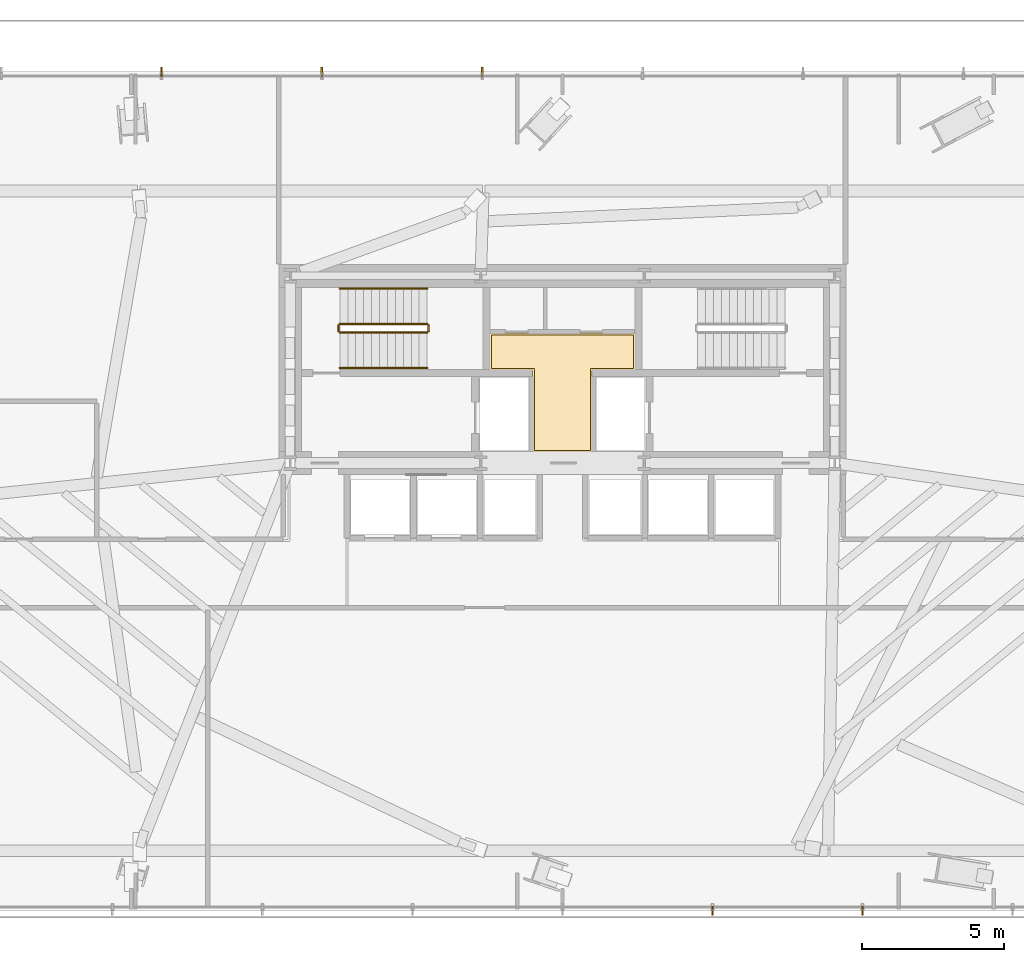
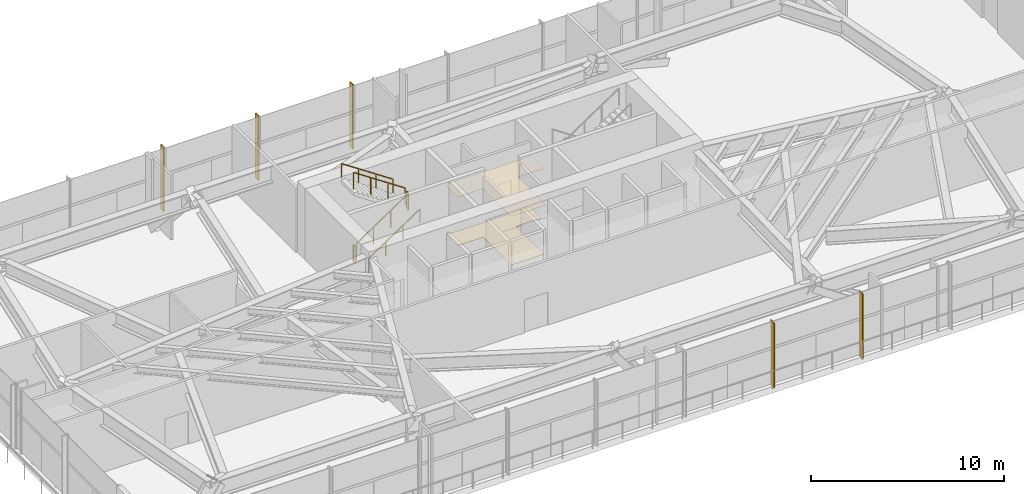
# One storey, part 24 of 29: 6 railings, 5 shading devices, 2 coverings.
"""IFC4 building model written with IfcOpenShell, lengths in metres."""

from ifc_helpers import new_model, si_unit, direction, frame, origin, origin_2d, place, context, subcontext, project, spatial, polyline, rectangle, outline, extrude, source, transform, mapped, material, layer, layer_set, type_object, type_shapes, element, save


model = new_model("IFC4")

# Units and contexts
model_context = context("Model", 3, precision=1e-05, world=origin(), true_north=direction((0.0, 1.0)))
body_context = subcontext(model_context, "Body", "Model", "MODEL_VIEW")
ifc_project = project(units=[si_unit("LENGTHUNIT", "METRE"), si_unit("AREAUNIT", "SQUARE_METRE"), si_unit("VOLUMEUNIT", "CUBIC_METRE"), si_unit("PLANEANGLEUNIT", "RADIAN"), si_unit("MASSUNIT", "GRAM", prefix="KILO")], contexts=[model_context])

# Site, building, storey
site_placement = place(None, origin())
site = spatial("IfcSite", under=ifc_project, at=site_placement, CompositionType="ELEMENT")
building_placement = place(site_placement, origin())
building = spatial("IfcBuilding", under=site, at=building_placement, Name="Astriad Promenade Condominiums", CompositionType="ELEMENT")
storey_placement = place(building_placement, frame((0.0, 0.0, 18.5)))
storey = spatial("IfcBuildingStorey", under=building, at=storey_placement, Name="L04", CompositionType="ELEMENT", Elevation=18.5)

# Coverings
ifc_material_1 = material(Name="Mineral-Fibre Acoustic Ceiling Tile")
ifc_layer_1 = layer(ifc_material_1, 0.02490234375)
ifc_layer_set_1 = layer_set([ifc_layer_1], Name="Mineral-Fibre Acoustic Ceiling Tile")
covering_type_1 = type_object("IfcCoveringType", Name="COV-CEIL-ACOUSTIC-25", PredefinedType="CEILING", material=ifc_layer_set_1)
covering_1_placement = place(storey_placement, frame((0.0, 0.0, 3.135009765625)))
element("IfcCovering", 1, at=covering_1_placement, inside=storey, type_object=covering_type_1, Name="CEIL-L04-CSL", PredefinedType="CEILING", context=body_context, shape_type="SweptSolid", body=[
    extrude(outline(polyline([(37.050048828125, 17.800048828125), (37.0498046875, 17.797119140625), (37.04931640625, 17.794189453125), (37.048583984375, 17.791259765625), (37.047607421875, 17.78857421875), (37.04638671875, 17.785888671875), (37.044921875, 17.783203125), (37.043212890625, 17.781005859375), (37.041259765625, 17.77880859375), (37.0390625, 17.77685546875), (37.03662109375, 17.775146484375), (37.0341796875, 17.7734375), (37.031494140625, 17.772216796875), (37.02880859375, 17.771240234375), (37.02587890625, 17.7705078125), (37.02294921875, 17.77001953125), (37.02001953125, 17.77001953125), (34.97998046875, 17.77001953125), (34.97705078125, 17.77001953125), (34.97412109375, 17.7705078125), (34.97119140625, 17.771240234375), (34.968505859375, 17.772216796875), (34.9658203125, 17.7734375), (34.96337890625, 17.775146484375), (34.9609375, 17.77685546875), (34.958740234375, 17.77880859375), (34.956787109375, 17.781005859375), (34.955078125, 17.783203125), (34.95361328125, 17.785888671875), (34.952392578125, 17.78857421875), (34.951416015625, 17.791259765625), (34.95068359375, 17.794189453125), (34.9501953125, 17.797119140625), (34.949951171875, 17.800048828125), (34.949951171875, 20.669921875), (33.4599609375, 20.669921875), (33.45703125, 20.670166015625), (33.4541015625, 20.670654296875), (33.451416015625, 20.67138671875), (33.448486328125, 20.67236328125), (33.44580078125, 20.673583984375), (33.443359375, 20.675048828125), (33.44091796875, 20.6767578125), (33.438720703125, 20.6787109375), (33.436767578125, 20.680908203125), (33.43505859375, 20.683349609375), (33.43359375, 20.685791015625), (33.432373046875, 20.6884765625), (33.431396484375, 20.69140625), (33.4306640625, 20.694091796875), (33.43017578125, 20.697021484375), (33.429931640625, 20.699951171875), (33.429931640625, 21.949951171875), (33.43017578125, 21.952880859375), (33.4306640625, 21.955810546875), (33.431396484375, 21.958740234375), (33.432373046875, 21.96142578125), (33.43359375, 21.964111328125), (33.43505859375, 21.966796875), (33.436767578125, 21.968994140625), (33.438720703125, 21.97119140625), (33.44091796875, 21.97314453125), (33.443359375, 21.974853515625), (33.44580078125, 21.9765625), (33.448486328125, 21.977783203125), (33.451416015625, 21.978759765625), (33.4541015625, 21.9794921875), (33.45703125, 21.97998046875), (33.4599609375, 21.97998046875), (38.5400390625, 21.97998046875), (38.54296875, 21.97998046875), (38.5458984375, 21.9794921875), (38.548583984375, 21.978759765625), (38.551513671875, 21.977783203125), (38.55419921875, 21.9765625), (38.556640625, 21.974853515625), (38.55908203125, 21.97314453125), (38.561279296875, 21.97119140625), (38.563232421875, 21.968994140625), (38.56494140625, 21.966796875), (38.56640625, 21.964111328125), (38.567626953125, 21.96142578125), (38.568603515625, 21.958740234375), (38.5693359375, 21.955810546875), (38.56982421875, 21.952880859375), (38.570068359375, 21.949951171875), (38.570068359375, 20.699951171875), (38.56982421875, 20.697021484375), (38.5693359375, 20.694091796875), (38.568603515625, 20.69140625), (38.567626953125, 20.6884765625), (38.56640625, 20.685791015625), (38.56494140625, 20.683349609375), (38.563232421875, 20.680908203125), (38.561279296875, 20.6787109375), (38.55908203125, 20.6767578125), (38.556640625, 20.675048828125), (38.55419921875, 20.673583984375), (38.551513671875, 20.67236328125), (38.548583984375, 20.67138671875), (38.5458984375, 20.670654296875), (38.54296875, 20.670166015625), (38.5400390625, 20.669921875), (37.050048828125, 20.669921875), (37.050048828125, 17.800048828125)])), origin(), (0.0, 0.0, 1.0), 0.02490234375),
])
ifc_material_2 = material(Name="Polished Lakefront Terrazzo Flooring")
ifc_layer_2 = layer(ifc_material_2, 0.02001953125)
ifc_layer_set_2 = layer_set([ifc_layer_2], Name="Polished Lakefront Terrazzo Flooring")
covering_type_2 = type_object("IfcCoveringType", Name="COV-FLOR-TERRAZZO-20", PredefinedType="FLOORING", material=ifc_layer_set_2)
covering_2_placement = place(storey_placement, origin())
element("IfcCovering", 2, at=covering_2_placement, inside=storey, type_object=covering_type_2, Name="FLR-L04-CSL", PredefinedType="FLOORING", context=body_context, shape_type="SweptSolid", body=[
    extrude(outline(polyline([(36.97998046875, 20.699951171875), (36.97998046875, 17.840087890625), (35.02001953125, 17.840087890625), (35.02001953125, 20.699951171875), (35.019775390625, 20.703857421875), (35.019287109375, 20.707763671875), (35.018310546875, 20.711669921875), (35.01708984375, 20.71533203125), (35.015380859375, 20.718994140625), (35.01318359375, 20.72216796875), (35.010986328125, 20.725341796875), (35.00830078125, 20.728271484375), (35.00537109375, 20.73095703125), (35.002197265625, 20.7333984375), (34.998779296875, 20.7353515625), (34.995361328125, 20.737060546875), (34.99169921875, 20.73828125), (34.98779296875, 20.7392578125), (34.98388671875, 20.73974609375), (34.97998046875, 20.739990234375), (33.5, 20.739990234375), (33.5, 21.909912109375), (38.5, 21.909912109375), (38.5, 20.739990234375), (37.02001953125, 20.739990234375), (37.01611328125, 20.73974609375), (37.01220703125, 20.7392578125), (37.00830078125, 20.73828125), (37.004638671875, 20.737060546875), (37.001220703125, 20.7353515625), (36.997802734375, 20.7333984375), (36.99462890625, 20.73095703125), (36.99169921875, 20.728271484375), (36.989013671875, 20.725341796875), (36.98681640625, 20.72216796875), (36.984619140625, 20.718994140625), (36.98291015625, 20.71533203125), (36.981689453125, 20.711669921875), (36.980712890625, 20.707763671875), (36.980224609375, 20.703857421875), (36.97998046875, 20.699951171875)])), origin(), (0.0, 0.0, 1.0), 0.02001953125),
])

# Shading devices
ifc_material_3 = material(Name="Anodised aluminium 6063-T6 Black Fin", Category="aluminium")
shading_device_type = type_object("IfcShadingDeviceType", Name="FIN-BLACK-320", PredefinedType="USERDEFINED", material=ifc_material_3)
shared_shape_1 = source(origin(), body_context, "Body", "SweptSolid", [
    extrude(rectangle(XDim=0.06494140625, YDim=0.320068359375, at=origin_2d()), origin(), (0.0, 0.0, 1.0), 4.080078125),
])
type_shapes(shading_device_type, [shared_shape_1])
for number, where, z_axis, x_axis, name in (
    (3, (21.861083984375, 31.18994140625, 0.0), (0.0, 0.0, 1.0), (1.0, 0.0, 0.0), "CW-L04-N-FIN-02"),
    (4, (27.5166015625, 31.18994140625, 0.0), (0.0, 0.0, 1.0), (1.0, 0.0, 0.0), "CW-L04-N-FIN-03"),
    (5, (33.172119140625, 31.18994140625, 0.0), (0.0, 0.0, 1.0), (1.0, 0.0, 0.0), "CW-L04-N-FIN-04"),
    (6, (46.580078125, 1.610107421875, 0.0), (0.0, 0.0, 1.0), (-1.0, 0.0, 0.0), "CW-L04-S-FIN-03"),
    (7, (41.2900390625, 1.610107421875, 0.0), (0.0, 0.0, 1.0), (-1.0, 0.0, 0.0), "CW-L04-S-FIN-04"),
):
    element("IfcShadingDevice", number, at=place(storey_placement, frame(where, z_axis=z_axis, x_axis=x_axis)), inside=storey, type_object=shading_device_type, Name=name, ObjectType="FIN", PredefinedType="USERDEFINED", context=body_context, shape_type="MappedRepresentation", body=[
        mapped(shared_shape_1, transform((0.0, 0.0, 0.0), scale=1.0)),
    ])

# Railings
ifc_material_4 = material(Name="Painted Galvanised Steel Guardrail", Category="steel")
railing_type_1 = type_object("IfcRailingType", Name="GRD-STAIR-1100", PredefinedType="GUARDRAIL", material=ifc_material_4)
shared_shape_2 = source(origin(), body_context, "Body", "SweptSolid", [
    extrude(rectangle(XDim=0.048095703125, YDim=0.048095703125, at=origin_2d()), frame((0.0, 0.0, 1.076171875), z_axis=(0.0, 1.0, 0.0), x_axis=(-1.0, 0.0, 0.0)), (0.0, 0.0, 1.0), 0.199951171875),
    extrude(rectangle(XDim=0.0419921875, YDim=0.0419921875, at=origin_2d()), origin(), (0.0, 0.0, 1.0), 1.052001953125),
    extrude(rectangle(XDim=0.0419921875, YDim=0.0419921875, at=origin_2d()), frame((0.0, 0.199951171875, 0.0)), (0.0, 0.0, 1.0), 1.052001953125),
])
for number, where, name in (
    (8, (31.280029296875, 22.050048828125, 2.25), "L04 ST-1 stair guard 2"),
    (9, (28.10009765625, 22.050048828125, 0.0), "L04 ST-1 stair guard 4"),
):
    element("IfcRailing", number, at=place(storey_placement, frame(where)), inside=storey, type_object=railing_type_1, Name=name, PredefinedType="GUARDRAIL", context=body_context, shape_type="MappedRepresentation", body=[
        mapped(shared_shape_2, transform((0.0, 0.0, 0.0), scale=1.0)),
    ])
shared_shape_3 = source(origin(), body_context, "Body", "SweptSolid", [
    extrude(rectangle(XDim=0.048095703125, YDim=0.048095703125, at=origin_2d()), frame((0.0, 0.0, 1.076171875), z_axis=(0.830913701846, 0.0, 0.55640131208), x_axis=(0.0, 1.0, 0.0)), (0.0, 0.0, 1.0), 3.706787109375),
    extrude(rectangle(XDim=0.0419921875, YDim=0.0419921875, at=origin_2d()), origin(), (0.0, 0.0, 1.0), 1.052001953125),
    extrude(rectangle(XDim=0.0419921875, YDim=0.0419921875, at=origin_2d()), frame((1.026611328125, 0.0, 0.6875)), (0.0, 0.0, 1.0), 1.052001953125),
    extrude(rectangle(XDim=0.0419921875, YDim=0.0419921875, at=origin_2d()), frame((2.053466796875, 0.0, 1.375)), (0.0, 0.0, 1.0), 1.052001953125),
    extrude(rectangle(XDim=0.0419921875, YDim=0.0419921875, at=origin_2d()), frame((3.080078125, 0.0, 2.0625)), (0.0, 0.0, 1.0), 1.052001953125),
])
railing_1_placement = place(storey_placement, frame((28.14990234375, 22.0, 0.1875)))
element("IfcRailing", 10, at=railing_1_placement, inside=storey, type_object=railing_type_1, Name="L04 ST-1 stair guard 1", PredefinedType="GUARDRAIL", context=body_context, shape_type="MappedRepresentation", body=[
    mapped(shared_shape_3, transform((0.0, 0.0, 0.0), scale=1.0)),
])
shared_shape_4 = source(origin(), body_context, "Body", "SweptSolid", [
    extrude(rectangle(XDim=0.048095703125, YDim=0.048095703125, at=origin_2d()), frame((0.0, 0.0, 1.076171875), z_axis=(-0.830913701846, 0.0, 0.55640131208), x_axis=(0.0, -1.0, 0.0)), (0.0, 0.0, 1.0), 3.706787109375),
    extrude(rectangle(XDim=0.0419921875, YDim=0.0419921875, at=origin_2d()), origin(), (0.0, 0.0, 1.0), 1.052001953125),
    extrude(rectangle(XDim=0.0419921875, YDim=0.0419921875, at=origin_2d()), frame((-1.026611328125, 0.0, 0.6875)), (0.0, 0.0, 1.0), 1.052001953125),
    extrude(rectangle(XDim=0.0419921875, YDim=0.0419921875, at=origin_2d()), frame((-2.053466796875, 0.0, 1.375)), (0.0, 0.0, 1.0), 1.052001953125),
    extrude(rectangle(XDim=0.0419921875, YDim=0.0419921875, at=origin_2d()), frame((-3.080078125, 0.0, 2.0625)), (0.0, 0.0, 1.0), 1.052001953125),
])
type_shapes(railing_type_1, [shared_shape_2, shared_shape_3, shared_shape_4])
railing_2_placement = place(storey_placement, frame((31.22998046875, 22.300048828125, 2.4375)))
element("IfcRailing", 11, at=railing_2_placement, inside=storey, type_object=railing_type_1, Name="L04 ST-1 stair guard 3", PredefinedType="GUARDRAIL", context=body_context, shape_type="MappedRepresentation", body=[
    mapped(shared_shape_4, transform((0.0, 0.0, 0.0), scale=1.0)),
])
ifc_material_5 = material(Name="Brushed Stainless Steel Handrail", Category="steel")
railing_type_2 = type_object("IfcRailingType", Name="HRL-STAIR-920", PredefinedType="HANDRAIL", material=ifc_material_5)
shared_shape_5 = source(origin(), body_context, "Body", "SweptSolid", [
    extrude(rectangle(XDim=0.048095703125, YDim=0.048095703125, at=origin_2d()), frame((0.0, 0.0, 0.8759765625), z_axis=(0.830913701846, 0.0, 0.55640131208), x_axis=(0.0, 1.0, 0.0)), (0.0, 0.0, 1.0), 3.706787109375),
    extrude(rectangle(XDim=0.0419921875, YDim=0.0419921875, at=origin_2d()), origin(), (0.0, 0.0, 1.0), 0.851806640625),
    extrude(rectangle(XDim=0.0419921875, YDim=0.0419921875, at=origin_2d()), frame((1.026611328125, 0.0, 0.6875)), (0.0, 0.0, 1.0), 0.851806640625),
    extrude(rectangle(XDim=0.0419921875, YDim=0.0419921875, at=origin_2d()), frame((2.053466796875, 0.0, 1.375)), (0.0, 0.0, 1.0), 0.851806640625),
    extrude(rectangle(XDim=0.0419921875, YDim=0.0419921875, at=origin_2d()), frame((3.080078125, 0.0, 2.0625)), (0.0, 0.0, 1.0), 0.851806640625),
])
railing_3_placement = place(storey_placement, frame((28.14990234375, 20.75, 0.1875)))
element("IfcRailing", 12, at=railing_3_placement, inside=storey, type_object=railing_type_2, Name="L04 ST-1 stair handrail 1", PredefinedType="HANDRAIL", context=body_context, shape_type="MappedRepresentation", body=[
    mapped(shared_shape_5, transform((0.0, 0.0, 0.0), scale=1.0)),
])
shared_shape_6 = source(origin(), body_context, "Body", "SweptSolid", [
    extrude(rectangle(XDim=0.048095703125, YDim=0.048095703125, at=origin_2d()), frame((0.0, 0.0, 0.8759765625), z_axis=(-0.830913701846, 0.0, 0.55640131208), x_axis=(0.0, -1.0, 0.0)), (0.0, 0.0, 1.0), 3.706787109375),
    extrude(rectangle(XDim=0.0419921875, YDim=0.0419921875, at=origin_2d()), origin(), (0.0, 0.0, 1.0), 0.851806640625),
    extrude(rectangle(XDim=0.0419921875, YDim=0.0419921875, at=origin_2d()), frame((-1.026611328125, 0.0, 0.6875)), (0.0, 0.0, 1.0), 0.851806640625),
    extrude(rectangle(XDim=0.0419921875, YDim=0.0419921875, at=origin_2d()), frame((-2.053466796875, 0.0, 1.375)), (0.0, 0.0, 1.0), 0.851806640625),
    extrude(rectangle(XDim=0.0419921875, YDim=0.0419921875, at=origin_2d()), frame((-3.080078125, 0.0, 2.0625)), (0.0, 0.0, 1.0), 0.851806640625),
])
type_shapes(railing_type_2, [shared_shape_5, shared_shape_6])
railing_4_placement = place(storey_placement, frame((31.22998046875, 23.550048828125, 2.4375)))
element("IfcRailing", 13, at=railing_4_placement, inside=storey, type_object=railing_type_2, Name="L04 ST-1 stair handrail 2", PredefinedType="HANDRAIL", context=body_context, shape_type="MappedRepresentation", body=[
    mapped(shared_shape_6, transform((0.0, 0.0, 0.0), scale=1.0)),
])

save(model, "model.ifc")
